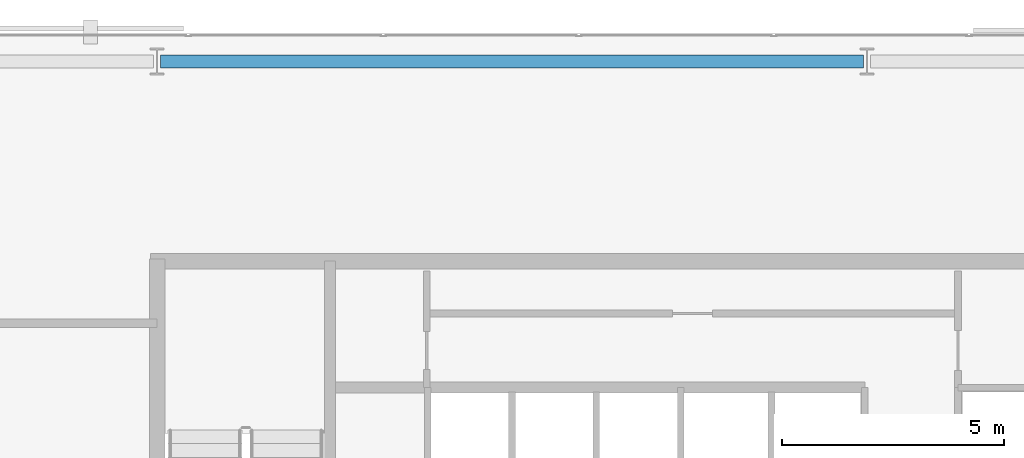
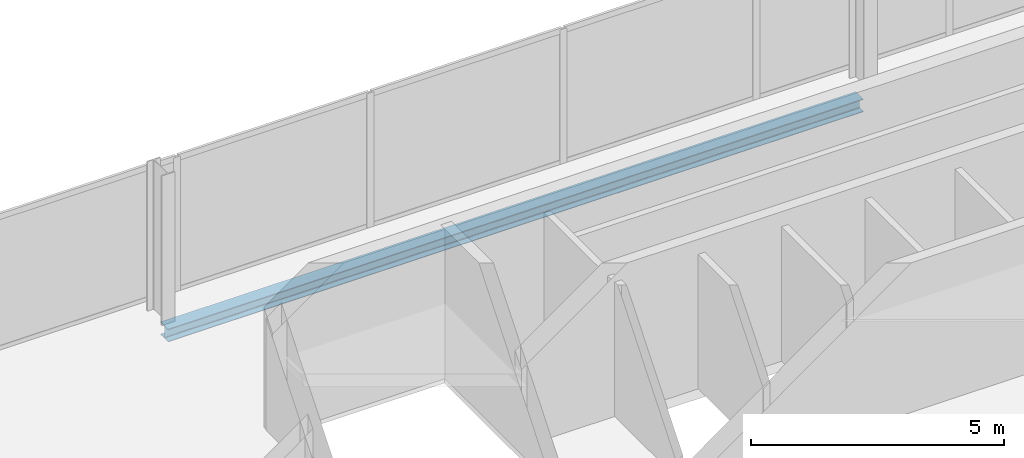
# One storey, part 21 of 32: 1 beam.
"""IFC4 building model written with IfcOpenShell, lengths in metres."""

from ifc_helpers import new_model, si_unit, direction, frame, origin, origin_2d, place, context, subcontext, project, spatial, i_section, extrude, material, material_profile, profile_set, type_object, element, save


model = new_model("IFC4")

# Units and contexts
model_context = context("Model", 3, precision=1e-05, world=origin(), true_north=direction((0.0, 1.0)))
body_context = subcontext(model_context, "Body", "Model", "MODEL_VIEW")
ifc_project = project(units=[si_unit("LENGTHUNIT", "METRE"), si_unit("AREAUNIT", "SQUARE_METRE"), si_unit("VOLUMEUNIT", "CUBIC_METRE"), si_unit("PLANEANGLEUNIT", "RADIAN"), si_unit("MASSUNIT", "GRAM", prefix="KILO")], contexts=[model_context])

# Site, building, storey
site_placement = place(None, origin())
site = spatial("IfcSite", under=ifc_project, at=site_placement, CompositionType="ELEMENT")
building_placement = place(site_placement, origin())
building = spatial("IfcBuilding", under=site, at=building_placement, Name="Catumbela Crestline Tower", CompositionType="ELEMENT")
storey_placement = place(building_placement, frame((0.0, 0.0, 140.4)))
storey = spatial("IfcBuildingStorey", under=building, at=storey_placement, Name="L36", CompositionType="ELEMENT", Elevation=140.4)

# Beam
ifc_material = material(Name="Structural steel S355J2", Category="steel")
ifc_material_profile = material_profile(ifc_material, i_section(OverallWidth=0.3, OverallDepth=0.31, WebThickness=0.009, FlangeThickness=0.0155, FilletRadius=0.027, at=origin_2d()), Name="HEA 320")
ifc_profile_set = profile_set([ifc_material_profile], Name="Structural steel S355J2")
beam_type = type_object("IfcBeamType", Name="BS-HEA320", PredefinedType="SPANDREL", material=ifc_profile_set)
beam_placement = place(storey_placement, frame((16.08, 47.4, -0.415), z_axis=(1.0, 0.0, 0.0), x_axis=(0.0, 1.0, 0.0)))
element("IfcBeam", 1, at=beam_placement, inside=storey, type_object=beam_type, Name="L36 Spandrel SP-L36-NF19", PredefinedType="SPANDREL", context=body_context, shape_type="SweptSolid", body=[
    extrude(i_section(OverallWidth=0.3, OverallDepth=0.31, WebThickness=0.009, FlangeThickness=0.0155, FilletRadius=0.027, at=origin_2d()), origin(), (0.0, 0.0, 1.0), 15.84),
])

save(model, "model.ifc")
